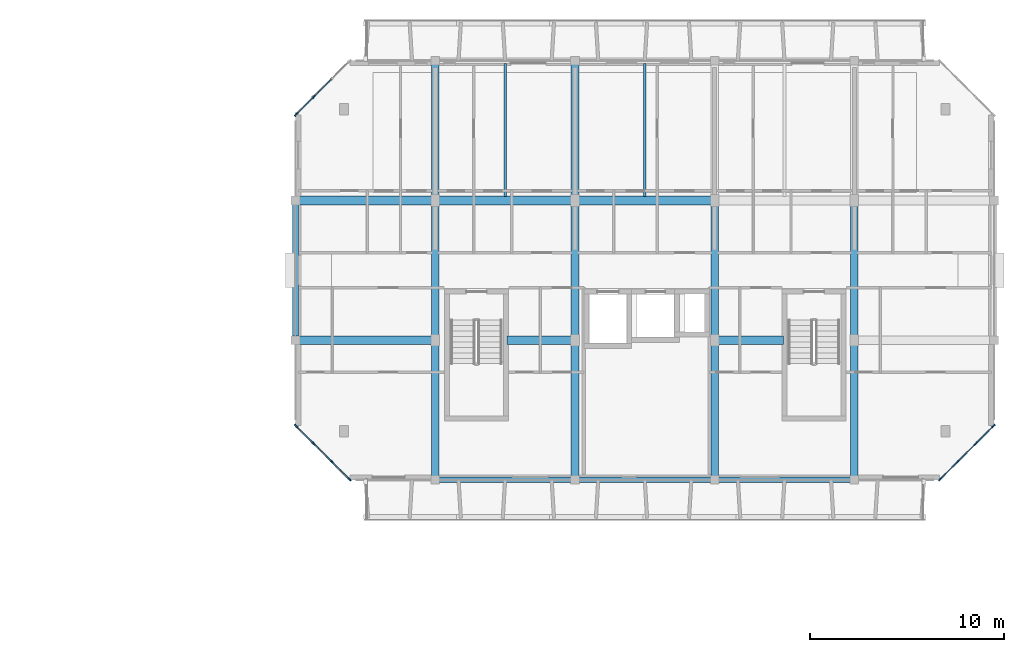
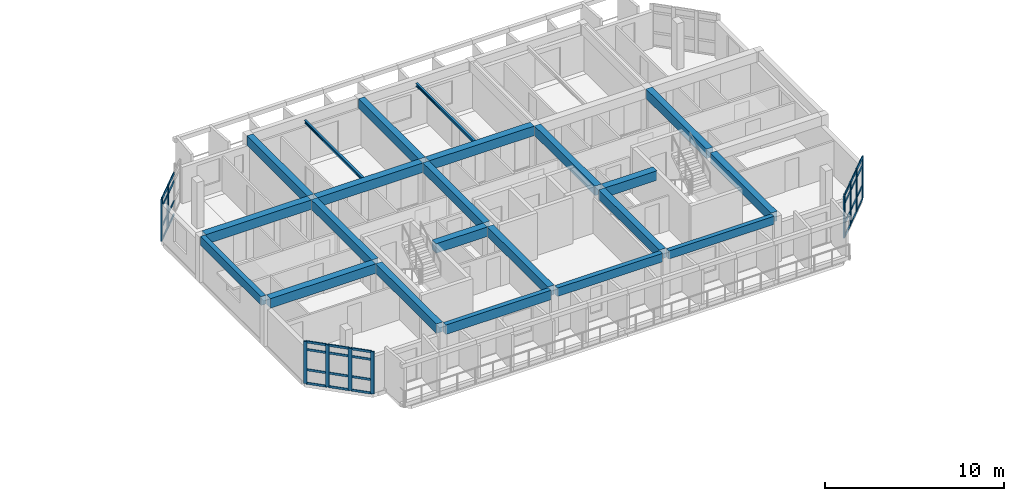
# One storey, part 12 of 43: 42 members, 22 beams, 3 elements without a shape of their own.
"""IFC4 building model written with IfcOpenShell, lengths in metres."""

from ifc_helpers import new_model, si_unit, direction, frame, origin, origin_2d, place, context, subcontext, project, spatial, rectangle, i_section, extrude, material, layer, layer_set, material_profile, profile_set, type_object, element, aggregate, save


model = new_model("IFC4")

# Units and contexts
model_context = context("Model", 3, precision=1e-05, world=origin(), true_north=direction((0.0, 1.0)))
body_context = subcontext(model_context, "Body", "Model", "MODEL_VIEW")
ifc_project = project(units=[si_unit("LENGTHUNIT", "METRE"), si_unit("AREAUNIT", "SQUARE_METRE"), si_unit("VOLUMEUNIT", "CUBIC_METRE"), si_unit("PLANEANGLEUNIT", "RADIAN"), si_unit("MASSUNIT", "GRAM", prefix="KILO")], contexts=[model_context])

# Site, building, storey
site_placement = place(None, origin())
site = spatial("IfcSite", under=ifc_project, at=site_placement, CompositionType="ELEMENT")
building_placement = place(site_placement, origin())
building = spatial("IfcBuilding", under=site, at=building_placement, Name="Ochrevale Crest", CompositionType="ELEMENT")
storey_placement = place(building_placement, frame((0.0, 0.0, 30.75)))
storey = spatial("IfcBuildingStorey", under=building, at=storey_placement, Name="L09", CompositionType="ELEMENT", Elevation=30.75)

# Beams
ifc_material_1 = material(Name="Precast concrete C50/60", Category="concrete")
ifc_material_profile_1 = material_profile(ifc_material_1, rectangle(XDim=0.39990234375, YDim=0.64990234375, at=origin_2d()), Name="PC 400x650")
ifc_profile_set_1 = profile_set([ifc_material_profile_1], Name="Precast concrete C50/60")
beam_type_1 = type_object("IfcBeamType", Name="BM-PC400x650", PredefinedType="BEAM", material=ifc_profile_set_1)
for number, where, z_axis, x_axis, name in (
    (1, (136.800048828125, 72.205078125, 2.824951171875), (0.0, 1.0, 0.0), (-1.0, 0.0, 0.0), "Block D L09 N-S beam X=136.8"),
    (2, (136.800048828125, 79.405029296875, 2.824951171875), (0.0, 1.0, 0.0), (-1.0, 0.0, 0.0), "Block D L09 N-S beam X=136.8"),
    (3, (136.800048828125, 86.60498046875, 2.824951171875), (0.0, 1.0, 0.0), (-1.0, 0.0, 0.0), "Block D L09 N-S beam X=136.8"),
    (4, (144.0, 72.205078125, 2.824951171875), (0.0, 1.0, 0.0), (-1.0, 0.0, 0.0), "Block D L09 N-S beam X=144.0"),
    (5, (144.0, 79.405029296875, 2.824951171875), (0.0, 1.0, 0.0), (-1.0, 0.0, 0.0), "Block D L09 N-S beam X=144.0"),
    (6, (144.0, 86.60498046875, 2.824951171875), (0.0, 1.0, 0.0), (-1.0, 0.0, 0.0), "Block D L09 N-S beam X=144.0"),
    (7, (151.199951171875, 72.205078125, 2.824951171875), (0.0, 1.0, 0.0), (-1.0, 0.0, 0.0), "Block D L09 N-S beam X=151.2"),
    (8, (151.199951171875, 79.405029296875, 2.824951171875), (0.0, 1.0, 0.0), (-1.0, 0.0, 0.0), "Block D L09 N-S beam X=151.2"),
    (9, (158.39990234375, 72.205078125, 2.824951171875), (0.0, 1.0, 0.0), (-1.0, 0.0, 0.0), "Block D L09 N-S beam X=158.4"),
    (10, (158.39990234375, 79.405029296875, 2.824951171875), (0.0, 1.0, 0.0), (-1.0, 0.0, 0.0), "Block D L09 N-S beam X=158.4"),
):
    element("IfcBeam", number, at=place(storey_placement, frame(where, z_axis=z_axis, x_axis=x_axis)), inside=storey, type_object=beam_type_1, Name=name, PredefinedType="BEAM", context=body_context, shape_type="SweptSolid", body=[
        extrude(rectangle(XDim=0.39990234375, YDim=0.64990234375, at=origin_2d()), origin(), (0.0, 0.0, 1.0), 6.7900390625),
    ])
ifc_material_2 = material(Name="Concrete C50/60", Category="concrete")
ifc_material_profile_2 = material_profile(ifc_material_2, rectangle(XDim=0.449951171875, YDim=0.64990234375, at=origin_2d()), Name="RC 450x650")
ifc_profile_set_2 = profile_set([ifc_material_profile_2], Name="Concrete C50/60")
beam_type_2 = type_object("IfcBeamType", Name="BM-PG450x650", PredefinedType="USERDEFINED", material=ifc_profile_set_2)
beam_1_placement = place(storey_placement, frame((129.800048828125, 79.199951171875, 2.824951171875), z_axis=(1.0, 0.0, 0.0), x_axis=(0.0, 1.0, 0.0)))
element("IfcBeam", 11, at=beam_1_placement, inside=storey, type_object=beam_type_2, Name="Block D L09 E-W beam Y=79.2", ObjectType="GIRDER", PredefinedType="USERDEFINED", context=body_context, shape_type="SweptSolid", body=[
    extrude(rectangle(XDim=0.449951171875, YDim=0.64990234375, at=origin_2d()), origin(), (0.0, 0.0, 1.0), 6.800048828125),
])
beam_2_placement = place(storey_placement, frame((140.489990234375, 79.199951171875, 2.824951171875), z_axis=(1.0, 0.0, 0.0), x_axis=(0.0, 1.0, 0.0)))
element("IfcBeam", 12, at=beam_2_placement, inside=storey, type_object=beam_type_2, Name="Block D L09 E-W beam Y=79.2", ObjectType="GIRDER", PredefinedType="USERDEFINED", context=body_context, shape_type="SweptSolid", body=[
    extrude(rectangle(XDim=0.449951171875, YDim=0.64990234375, at=origin_2d()), origin(), (0.0, 0.0, 1.0), 3.31005859375),
])
beam_3_placement = place(storey_placement, frame((151.39990234375, 79.199951171875, 2.824951171875), z_axis=(1.0, 0.0, 0.0), x_axis=(0.0, 1.0, 0.0)))
element("IfcBeam", 13, at=beam_3_placement, inside=storey, type_object=beam_type_2, Name="Block D L09 E-W beam Y=79.2", ObjectType="GIRDER", PredefinedType="USERDEFINED", context=body_context, shape_type="SweptSolid", body=[
    extrude(rectangle(XDim=0.449951171875, YDim=0.64990234375, at=origin_2d()), origin(), (0.0, 0.0, 1.0), 3.360107421875),
])
for number, where, z_axis, x_axis, name in (
    (14, (129.800048828125, 86.39990234375, 2.824951171875), (1.0, 0.0, 0.0), (0.0, 1.0, 0.0), "Block D L09 E-W beam Y=86.4"),
    (15, (137.0, 86.39990234375, 2.824951171875), (1.0, 0.0, 0.0), (0.0, 1.0, 0.0), "Block D L09 E-W beam Y=86.4"),
    (16, (144.199951171875, 86.39990234375, 2.824951171875), (1.0, 0.0, 0.0), (0.0, 1.0, 0.0), "Block D L09 E-W beam Y=86.4"),
):
    element("IfcBeam", number, at=place(storey_placement, frame(where, z_axis=z_axis, x_axis=x_axis)), inside=storey, type_object=beam_type_2, Name=name, ObjectType="GIRDER", PredefinedType="USERDEFINED", context=body_context, shape_type="SweptSolid", body=[
        extrude(rectangle(XDim=0.449951171875, YDim=0.64990234375, at=origin_2d()), origin(), (0.0, 0.0, 1.0), 6.800048828125),
    ])
ifc_material_3 = material(Name="Precast concrete C40/50", Category="concrete")
ifc_material_profile_3 = material_profile(ifc_material_3, rectangle(XDim=0.280029296875, YDim=0.550048828125, at=origin_2d()), Name="PC 280x550")
ifc_profile_set_3 = profile_set([ifc_material_profile_3], Name="Precast concrete C40/50")
beam_type_3 = type_object("IfcBeamType", Name="BM-SP280x550", PredefinedType="SPANDREL", material=ifc_profile_set_3)
beam_4_placement = place(storey_placement, frame((151.39990234375, 72.0, 2.875), z_axis=(1.0, 0.0, 0.0), x_axis=(0.0, 1.0, 0.0)))
element("IfcBeam", 17, at=beam_4_placement, inside=storey, type_object=beam_type_3, Name="Block D L09 E-W beam Y=72.0", PredefinedType="SPANDREL", context=body_context, shape_type="SweptSolid", body=[
    extrude(rectangle(XDim=0.280029296875, YDim=0.550048828125, at=origin_2d()), origin(), (0.0, 0.0, 1.0), 6.800048828125),
])
ifc_material_profile_4 = material_profile(ifc_material_3, rectangle(XDim=0.300048828125, YDim=0.580078125, at=origin_2d()), Name="PC 300x580")
ifc_profile_set_4 = profile_set([ifc_material_profile_4], Name="Precast concrete C40/50")
beam_type_4 = type_object("IfcBeamType", Name="BM-SP300x580", PredefinedType="SPANDREL", material=ifc_profile_set_4)
beam_5_placement = place(storey_placement, frame((144.199951171875, 72.0, 2.860107421875), z_axis=(1.0, 0.0, 0.0), x_axis=(0.0, 1.0, 0.0)))
element("IfcBeam", 18, at=beam_5_placement, inside=storey, type_object=beam_type_4, Name="Block D L09 E-W beam Y=72.0", PredefinedType="SPANDREL", context=body_context, shape_type="SweptSolid", body=[
    extrude(rectangle(XDim=0.300048828125, YDim=0.580078125, at=origin_2d()), origin(), (0.0, 0.0, 1.0), 6.800048828125),
])
ifc_material_profile_5 = material_profile(ifc_material_3, rectangle(XDim=0.300048828125, YDim=0.60009765625, at=origin_2d()), Name="PC 300x600")
ifc_profile_set_5 = profile_set([ifc_material_profile_5], Name="Precast concrete C40/50")
beam_type_5 = type_object("IfcBeamType", Name="BM-SP300x600", PredefinedType="SPANDREL", material=ifc_profile_set_5)
beam_6_placement = place(storey_placement, frame((129.60009765625, 79.405029296875, 2.85009765625), z_axis=(0.0, 1.0, 0.0), x_axis=(-1.0, 0.0, 0.0)))
element("IfcBeam", 19, at=beam_6_placement, inside=storey, type_object=beam_type_5, Name="Block D L09 N-S beam X=129.6", PredefinedType="SPANDREL", context=body_context, shape_type="SweptSolid", body=[
    extrude(rectangle(XDim=0.300048828125, YDim=0.60009765625, at=origin_2d()), origin(), (0.0, 0.0, 1.0), 6.7900390625),
])
ifc_material_profile_6 = material_profile(ifc_material_3, rectangle(XDim=0.300048828125, YDim=0.64990234375, at=origin_2d()), Name="PC 300x650")
ifc_profile_set_6 = profile_set([ifc_material_profile_6], Name="Precast concrete C40/50")
beam_type_6 = type_object("IfcBeamType", Name="BM-SP300x650", PredefinedType="SPANDREL", material=ifc_profile_set_6)
beam_7_placement = place(storey_placement, frame((137.0, 72.0, 2.824951171875), z_axis=(1.0, 0.0, 0.0), x_axis=(0.0, 1.0, 0.0)))
element("IfcBeam", 20, at=beam_7_placement, inside=storey, type_object=beam_type_6, Name="Block D L09 E-W beam Y=72.0", PredefinedType="SPANDREL", context=body_context, shape_type="SweptSolid", body=[
    extrude(rectangle(XDim=0.300048828125, YDim=0.64990234375, at=origin_2d()), origin(), (0.0, 0.0, 1.0), 6.800048828125),
])
ifc_material_4 = material(Name="Steel S355", Category="steel")
ifc_material_profile_7 = material_profile(ifc_material_4, i_section(OverallWidth=0.13330078125, OverallDepth=0.203125, WebThickness=0.005859375, FlangeThickness=0.0078125, FilletRadius=0.0087890625, at=origin_2d()), Name="200UB25.4")
ifc_profile_set_7 = profile_set([ifc_material_profile_7], Name="Steel S355")
beam_type_7 = type_object("IfcBeamType", Name="BM-UB200A", PredefinedType="JOIST", material=ifc_profile_set_7)
beam_8_placement = place(storey_placement, frame((140.39990234375, 86.613037109375, 2.7734375), z_axis=(0.0, 1.0, 0.0), x_axis=(-1.0, 0.0, 0.0)))
element("IfcBeam", 21, at=beam_8_placement, inside=storey, type_object=beam_type_7, Name="Block D L09 composite plank trimmer beam 2", PredefinedType="JOIST", context=body_context, shape_type="SweptSolid", body=[
    extrude(i_section(OverallWidth=0.13330078125, OverallDepth=0.203125, WebThickness=0.005859375, FlangeThickness=0.0078125, FilletRadius=0.0087890625, at=origin_2d()), origin(), (0.0, 0.0, 1.0), 6.848876953125),
])
ifc_material_profile_8 = material_profile(ifc_material_4, i_section(OverallWidth=0.134033203125, OverallDepth=0.20703125, WebThickness=0.00634765625, FlangeThickness=0.009521484375, FilletRadius=0.0087890625, at=origin_2d()), Name="200UB29.8")
ifc_profile_set_8 = profile_set([ifc_material_profile_8], Name="Steel S355")
beam_type_8 = type_object("IfcBeamType", Name="BM-UB200B", PredefinedType="JOIST", material=ifc_profile_set_8)
beam_9_placement = place(storey_placement, frame((147.60009765625, 86.613037109375, 2.771484375), z_axis=(0.0, 1.0, 0.0), x_axis=(-1.0, 0.0, 0.0)))
element("IfcBeam", 22, at=beam_9_placement, inside=storey, type_object=beam_type_8, Name="Block D L09 composite plank trimmer beam 3", PredefinedType="JOIST", context=body_context, shape_type="SweptSolid", body=[
    extrude(i_section(OverallWidth=0.134033203125, OverallDepth=0.20703125, WebThickness=0.00634765625, FlangeThickness=0.009521484375, FilletRadius=0.0087890625, at=origin_2d()), origin(), (0.0, 0.0, 1.0), 6.848876953125),
])

# Curtain wall, members
ifc_material_5 = material(Name="Anodised aluminium 6063-T5", Category="aluminium")
ifc_layer_1 = layer(ifc_material_5, 0.14990234375)
ifc_layer_set_1 = layer_set([ifc_layer_1], Name="Anodised aluminium 6063-T5")
curtain_wall_type_1 = type_object("IfcCurtainWallType", Name="CW-WG-280x285", PredefinedType="NOTDEFINED", material=ifc_layer_set_1)
curtain_wall_1_placement = place(storey_placement, origin())
curtain_wall_1 = element("IfcCurtainWall", 23, at=curtain_wall_1_placement, inside=storey, type_object=curtain_wall_type_1, Name="Block D L09 chamfered corner wintergarden curtain wall 2", PredefinedType="NOTDEFINED")
ifc_material_profile_9 = material_profile(ifc_material_5, rectangle(XDim=0.074951171875, YDim=0.219970703125, at=origin_2d()), Name="ALU 75x220")
ifc_profile_set_9 = profile_set([ifc_material_profile_9], Name="Anodised aluminium 6063-T5")
member_type_1 = type_object("IfcMemberType", Name="CW-MUL-75x220", PredefinedType="MULLION", material=ifc_profile_set_9)
member_1_placement = place(storey_placement, frame((162.826416015625, 72.026611328125, 0.0), z_axis=(0.0, 0.0, 1.0), x_axis=(-0.707106781187, 0.707106781187, 0.0)))
member_1 = element("IfcMember", 24, at=member_1_placement, type_object=member_type_1, Name="CW16 mullion 1", PredefinedType="MULLION", context=body_context, shape_type="SweptSolid", body=[
    extrude(rectangle(XDim=0.074951171875, YDim=0.219970703125, at=origin_2d()), origin(), (0.0, 0.0, 1.0), 2.875),
])
member_2_placement = place(storey_placement, frame((163.7333984375, 72.933349609375, 0.0), z_axis=(0.0, 0.0, 1.0), x_axis=(-0.707106781187, 0.707106781187, 0.0)))
member_2 = element("IfcMember", 25, at=member_2_placement, type_object=member_type_1, Name="CW16 mullion 2", PredefinedType="MULLION", context=body_context, shape_type="SweptSolid", body=[
    extrude(rectangle(XDim=0.074951171875, YDim=0.219970703125, at=origin_2d()), origin(), (0.0, 0.0, 1.0), 2.875),
])
member_3_placement = place(storey_placement, frame((164.666748046875, 73.86669921875, 0.0), z_axis=(0.0, 0.0, 1.0), x_axis=(-0.707106781187, 0.707106781187, 0.0)))
member_3 = element("IfcMember", 26, at=member_3_placement, type_object=member_type_1, Name="CW16 mullion 3", PredefinedType="MULLION", context=body_context, shape_type="SweptSolid", body=[
    extrude(rectangle(XDim=0.074951171875, YDim=0.219970703125, at=origin_2d()), origin(), (0.0, 0.0, 1.0), 2.875),
])
member_4_placement = place(storey_placement, frame((165.573486328125, 74.7734375, 0.0), z_axis=(0.0, 0.0, 1.0), x_axis=(-0.707106781187, 0.707106781187, 0.0)))
member_4 = element("IfcMember", 27, at=member_4_placement, type_object=member_type_1, Name="CW16 mullion 4", PredefinedType="MULLION", context=body_context, shape_type="SweptSolid", body=[
    extrude(rectangle(XDim=0.074951171875, YDim=0.219970703125, at=origin_2d()), origin(), (0.0, 0.0, 1.0), 2.875),
])

ifc_layer_2 = layer(ifc_material_5, 0.14990234375)
ifc_layer_set_2 = layer_set([ifc_layer_2], Name="Anodised aluminium 6063-T5")
curtain_wall_type_2 = type_object("IfcCurtainWallType", Name="CW-WG-240x285", PredefinedType="NOTDEFINED", material=ifc_layer_set_2)
curtain_wall_2_placement = place(storey_placement, origin())
curtain_wall_2 = element("IfcCurtainWall", 28, at=curtain_wall_2_placement, inside=storey, type_object=curtain_wall_type_2, Name="Block D L09 chamfered corner wintergarden curtain wall 6", PredefinedType="NOTDEFINED")
member_5_placement = place(storey_placement, frame((130.533447265625, 91.7333984375, 0.0), z_axis=(0.0, 0.0, 1.0), x_axis=(0.707106781187, -0.707106781187, 0.0)))
member_5 = element("IfcMember", 29, at=member_5_placement, type_object=member_type_1, Name="CW15 mullion 3", PredefinedType="MULLION", context=body_context, shape_type="SweptSolid", body=[
    extrude(rectangle(XDim=0.074951171875, YDim=0.219970703125, at=origin_2d()), origin(), (0.0, 0.0, 1.0), 2.875),
])
member_6_placement = place(storey_placement, frame((129.62646484375, 90.826416015625, 0.0), z_axis=(0.0, 0.0, 1.0), x_axis=(0.707106781187, -0.707106781187, 0.0)))
member_6 = element("IfcMember", 30, at=member_6_placement, type_object=member_type_1, Name="CW15 mullion 4", PredefinedType="MULLION", context=body_context, shape_type="SweptSolid", body=[
    extrude(rectangle(XDim=0.074951171875, YDim=0.219970703125, at=origin_2d()), origin(), (0.0, 0.0, 1.0), 2.875),
])

ifc_layer_3 = layer(ifc_material_5, 0.14990234375)
ifc_layer_set_3 = layer_set([ifc_layer_3], Name="Anodised aluminium 6063-T5")
curtain_wall_type_3 = type_object("IfcCurtainWallType", Name="CW-WG-320x285", PredefinedType="NOTDEFINED", material=ifc_layer_set_3)
curtain_wall_3_placement = place(storey_placement, origin())
curtain_wall_3 = element("IfcCurtainWall", 31, at=curtain_wall_3_placement, inside=storey, type_object=curtain_wall_type_3, Name="Block D L09 chamfered corner wintergarden curtain wall 8", PredefinedType="NOTDEFINED")
member_7_placement = place(storey_placement, frame((129.62646484375, 74.7734375, 0.0), z_axis=(0.0, 0.0, 1.0), x_axis=(0.707106781187, 0.707106781187, 0.0)))
member_7 = element("IfcMember", 32, at=member_7_placement, type_object=member_type_1, Name="CW17 mullion 1", PredefinedType="MULLION", context=body_context, shape_type="SweptSolid", body=[
    extrude(rectangle(XDim=0.074951171875, YDim=0.219970703125, at=origin_2d()), origin(), (0.0, 0.0, 1.0), 2.875),
])
member_8_placement = place(storey_placement, frame((130.533447265625, 73.86669921875, 0.0), z_axis=(0.0, 0.0, 1.0), x_axis=(0.707106781187, 0.707106781187, 0.0)))
member_8 = element("IfcMember", 33, at=member_8_placement, type_object=member_type_1, Name="CW17 mullion 2", PredefinedType="MULLION", context=body_context, shape_type="SweptSolid", body=[
    extrude(rectangle(XDim=0.074951171875, YDim=0.219970703125, at=origin_2d()), origin(), (0.0, 0.0, 1.0), 2.875),
])
member_9_placement = place(storey_placement, frame((131.466552734375, 72.933349609375, 0.0), z_axis=(0.0, 0.0, 1.0), x_axis=(0.707106781187, 0.707106781187, 0.0)))
member_9 = element("IfcMember", 34, at=member_9_placement, type_object=member_type_1, Name="CW17 mullion 3", PredefinedType="MULLION", context=body_context, shape_type="SweptSolid", body=[
    extrude(rectangle(XDim=0.074951171875, YDim=0.219970703125, at=origin_2d()), origin(), (0.0, 0.0, 1.0), 2.875),
])
member_10_placement = place(storey_placement, frame((132.37353515625, 72.026611328125, 0.0), z_axis=(0.0, 0.0, 1.0), x_axis=(0.707106781187, 0.707106781187, 0.0)))
member_10 = element("IfcMember", 35, at=member_10_placement, type_object=member_type_1, Name="CW17 mullion 4", PredefinedType="MULLION", context=body_context, shape_type="SweptSolid", body=[
    extrude(rectangle(XDim=0.074951171875, YDim=0.219970703125, at=origin_2d()), origin(), (0.0, 0.0, 1.0), 2.875),
])

# Member
ifc_material_profile_10 = material_profile(ifc_material_5, rectangle(XDim=0.06005859375, YDim=0.14990234375, at=origin_2d()), Name="ALU 60x150")
ifc_profile_set_10 = profile_set([ifc_material_profile_10], Name="Anodised aluminium 6063-T5")
member_type_2 = type_object("IfcMemberType", Name="CW-TRN-60x150", PredefinedType="USERDEFINED", material=ifc_profile_set_10)
member_11_placement = place(storey_placement, frame((162.85302734375, 72.052978515625, 0.030029296875), z_axis=(0.707106781187, 0.707106781187, 0.0), x_axis=(-0.707106781187, 0.707106781187, 0.0)))
member_11 = element("IfcMember", 36, at=member_11_placement, type_object=member_type_2, Name="CW16 transom 1.1", ObjectType="TRANSOM", PredefinedType="USERDEFINED", context=body_context, shape_type="SweptSolid", body=[
    extrude(rectangle(XDim=0.06005859375, YDim=0.14990234375, at=origin_2d()), origin(), (0.0, 0.0, 1.0), 1.20751953125),
])

member_12_placement = place(storey_placement, frame((162.85302734375, 72.052978515625, 0.949951171875), z_axis=(0.707106781187, 0.707106781187, 0.0), x_axis=(-0.707106781187, 0.707106781187, 0.0)))
member_12 = element("IfcMember", 37, at=member_12_placement, type_object=member_type_2, Name="CW16 transom 1.2", ObjectType="TRANSOM", PredefinedType="USERDEFINED", context=body_context, shape_type="SweptSolid", body=[
    extrude(rectangle(XDim=0.06005859375, YDim=0.14990234375, at=origin_2d()), origin(), (0.0, 0.0, 1.0), 1.20751953125),
])

member_13_placement = place(storey_placement, frame((162.85302734375, 72.052978515625, 2.324951171875), z_axis=(0.707106781187, 0.707106781187, 0.0), x_axis=(-0.707106781187, 0.707106781187, 0.0)))
member_13 = element("IfcMember", 38, at=member_13_placement, type_object=member_type_2, Name="CW16 transom 1.3", ObjectType="TRANSOM", PredefinedType="USERDEFINED", context=body_context, shape_type="SweptSolid", body=[
    extrude(rectangle(XDim=0.06005859375, YDim=0.14990234375, at=origin_2d()), origin(), (0.0, 0.0, 1.0), 1.20751953125),
])

member_14_placement = place(storey_placement, frame((162.85302734375, 72.052978515625, 2.844970703125), z_axis=(0.707106781187, 0.707106781187, 0.0), x_axis=(-0.707106781187, 0.707106781187, 0.0)))
member_14 = element("IfcMember", 39, at=member_14_placement, type_object=member_type_2, Name="CW16 transom 1.4", ObjectType="TRANSOM", PredefinedType="USERDEFINED", context=body_context, shape_type="SweptSolid", body=[
    extrude(rectangle(XDim=0.06005859375, YDim=0.14990234375, at=origin_2d()), origin(), (0.0, 0.0, 1.0), 1.20751953125),
])

member_15_placement = place(storey_placement, frame((163.759765625, 72.9599609375, 0.030029296875), z_axis=(0.707204833848, 0.707008714926, 0.0), x_axis=(-0.707008714926, 0.707204833848, 0.0)))
member_15 = element("IfcMember", 40, at=member_15_placement, type_object=member_type_2, Name="CW16 transom 2.1", ObjectType="TRANSOM", PredefinedType="USERDEFINED", context=body_context, shape_type="SweptSolid", body=[
    extrude(rectangle(XDim=0.06005859375, YDim=0.14990234375, at=origin_2d()), origin(), (0.0, 0.0, 1.0), 1.244873046875),
])

member_16_placement = place(storey_placement, frame((163.759765625, 72.9599609375, 0.949951171875), z_axis=(0.707204833848, 0.707008714926, 0.0), x_axis=(-0.707008714926, 0.707204833848, 0.0)))
member_16 = element("IfcMember", 41, at=member_16_placement, type_object=member_type_2, Name="CW16 transom 2.2", ObjectType="TRANSOM", PredefinedType="USERDEFINED", context=body_context, shape_type="SweptSolid", body=[
    extrude(rectangle(XDim=0.06005859375, YDim=0.14990234375, at=origin_2d()), origin(), (0.0, 0.0, 1.0), 1.244873046875),
])

member_17_placement = place(storey_placement, frame((163.759765625, 72.9599609375, 2.324951171875), z_axis=(0.707204833848, 0.707008714926, 0.0), x_axis=(-0.707008714926, 0.707204833848, 0.0)))
member_17 = element("IfcMember", 42, at=member_17_placement, type_object=member_type_2, Name="CW16 transom 2.3", ObjectType="TRANSOM", PredefinedType="USERDEFINED", context=body_context, shape_type="SweptSolid", body=[
    extrude(rectangle(XDim=0.06005859375, YDim=0.14990234375, at=origin_2d()), origin(), (0.0, 0.0, 1.0), 1.244873046875),
])

member_18_placement = place(storey_placement, frame((163.759765625, 72.9599609375, 2.844970703125), z_axis=(0.707204833848, 0.707008714926, 0.0), x_axis=(-0.707008714926, 0.707204833848, 0.0)))
member_18 = element("IfcMember", 43, at=member_18_placement, type_object=member_type_2, Name="CW16 transom 2.4", ObjectType="TRANSOM", PredefinedType="USERDEFINED", context=body_context, shape_type="SweptSolid", body=[
    extrude(rectangle(XDim=0.06005859375, YDim=0.14990234375, at=origin_2d()), origin(), (0.0, 0.0, 1.0), 1.244873046875),
])

member_19_placement = place(storey_placement, frame((164.693115234375, 73.89306640625, 0.030029296875), z_axis=(0.707005686502, 0.70720786142, 0.0), x_axis=(-0.70720786142, 0.707005686502, 0.0)))
member_19 = element("IfcMember", 44, at=member_19_placement, type_object=member_type_2, Name="CW16 transom 3.1", ObjectType="TRANSOM", PredefinedType="USERDEFINED", context=body_context, shape_type="SweptSolid", body=[
    extrude(rectangle(XDim=0.06005859375, YDim=0.14990234375, at=origin_2d()), origin(), (0.0, 0.0, 1.0), 1.20751953125),
])

member_20_placement = place(storey_placement, frame((164.693115234375, 73.89306640625, 0.949951171875), z_axis=(0.707005686502, 0.70720786142, 0.0), x_axis=(-0.70720786142, 0.707005686502, 0.0)))
member_20 = element("IfcMember", 45, at=member_20_placement, type_object=member_type_2, Name="CW16 transom 3.2", ObjectType="TRANSOM", PredefinedType="USERDEFINED", context=body_context, shape_type="SweptSolid", body=[
    extrude(rectangle(XDim=0.06005859375, YDim=0.14990234375, at=origin_2d()), origin(), (0.0, 0.0, 1.0), 1.20751953125),
])

member_21_placement = place(storey_placement, frame((164.693115234375, 73.89306640625, 2.324951171875), z_axis=(0.707005686502, 0.70720786142, 0.0), x_axis=(-0.70720786142, 0.707005686502, 0.0)))
member_21 = element("IfcMember", 46, at=member_21_placement, type_object=member_type_2, Name="CW16 transom 3.3", ObjectType="TRANSOM", PredefinedType="USERDEFINED", context=body_context, shape_type="SweptSolid", body=[
    extrude(rectangle(XDim=0.06005859375, YDim=0.14990234375, at=origin_2d()), origin(), (0.0, 0.0, 1.0), 1.20751953125),
])

member_22_placement = place(storey_placement, frame((164.693115234375, 73.89306640625, 2.844970703125), z_axis=(0.707005686502, 0.70720786142, 0.0), x_axis=(-0.70720786142, 0.707005686502, 0.0)))
member_22 = element("IfcMember", 47, at=member_22_placement, type_object=member_type_2, Name="CW16 transom 3.4", ObjectType="TRANSOM", PredefinedType="USERDEFINED", context=body_context, shape_type="SweptSolid", body=[
    extrude(rectangle(XDim=0.06005859375, YDim=0.14990234375, at=origin_2d()), origin(), (0.0, 0.0, 1.0), 1.20751953125),
])

aggregate(curtain_wall_1, [member_1, member_2, member_3, member_4, member_11, member_12, member_13, member_14, member_15, member_16, member_17, member_18, member_19, member_20, member_21, member_22])

member_23_placement = place(storey_placement, frame((131.440185546875, 92.64013671875, 0.030029296875), z_axis=(-0.707106781187, -0.707106781187, 0.0), x_axis=(0.707106781187, -0.707106781187, 0.0)))
member_23 = element("IfcMember", 48, at=member_23_placement, type_object=member_type_2, Name="CW15 transom 2.1", ObjectType="TRANSOM", PredefinedType="USERDEFINED", context=body_context, shape_type="SweptSolid", body=[
    extrude(rectangle(XDim=0.06005859375, YDim=0.14990234375, at=origin_2d()), origin(), (0.0, 0.0, 1.0), 1.2451171875),
])

member_24_placement = place(storey_placement, frame((131.440185546875, 92.64013671875, 0.949951171875), z_axis=(-0.707106781187, -0.707106781187, 0.0), x_axis=(0.707106781187, -0.707106781187, 0.0)))
member_24 = element("IfcMember", 49, at=member_24_placement, type_object=member_type_2, Name="CW15 transom 2.2", ObjectType="TRANSOM", PredefinedType="USERDEFINED", context=body_context, shape_type="SweptSolid", body=[
    extrude(rectangle(XDim=0.06005859375, YDim=0.14990234375, at=origin_2d()), origin(), (0.0, 0.0, 1.0), 1.2451171875),
])

member_25_placement = place(storey_placement, frame((131.440185546875, 92.64013671875, 2.324951171875), z_axis=(-0.707106781187, -0.707106781187, 0.0), x_axis=(0.707106781187, -0.707106781187, 0.0)))
member_25 = element("IfcMember", 50, at=member_25_placement, type_object=member_type_2, Name="CW15 transom 2.3", ObjectType="TRANSOM", PredefinedType="USERDEFINED", context=body_context, shape_type="SweptSolid", body=[
    extrude(rectangle(XDim=0.06005859375, YDim=0.14990234375, at=origin_2d()), origin(), (0.0, 0.0, 1.0), 1.2451171875),
])

member_26_placement = place(storey_placement, frame((131.440185546875, 92.64013671875, 2.844970703125), z_axis=(-0.707106781187, -0.707106781187, 0.0), x_axis=(0.707106781187, -0.707106781187, 0.0)))
member_26 = element("IfcMember", 51, at=member_26_placement, type_object=member_type_2, Name="CW15 transom 2.4", ObjectType="TRANSOM", PredefinedType="USERDEFINED", context=body_context, shape_type="SweptSolid", body=[
    extrude(rectangle(XDim=0.06005859375, YDim=0.14990234375, at=origin_2d()), origin(), (0.0, 0.0, 1.0), 1.2451171875),
])

member_27_placement = place(storey_placement, frame((130.5068359375, 91.706787109375, 0.030029296875), z_axis=(-0.707106781187, -0.707106781187, 0.0), x_axis=(0.707106781187, -0.707106781187, 0.0)))
member_27 = element("IfcMember", 52, at=member_27_placement, type_object=member_type_2, Name="CW15 transom 3.1", ObjectType="TRANSOM", PredefinedType="USERDEFINED", context=body_context, shape_type="SweptSolid", body=[
    extrude(rectangle(XDim=0.06005859375, YDim=0.14990234375, at=origin_2d()), origin(), (0.0, 0.0, 1.0), 1.20751953125),
])

member_28_placement = place(storey_placement, frame((130.5068359375, 91.706787109375, 0.949951171875), z_axis=(-0.707106781187, -0.707106781187, 0.0), x_axis=(0.707106781187, -0.707106781187, 0.0)))
member_28 = element("IfcMember", 53, at=member_28_placement, type_object=member_type_2, Name="CW15 transom 3.2", ObjectType="TRANSOM", PredefinedType="USERDEFINED", context=body_context, shape_type="SweptSolid", body=[
    extrude(rectangle(XDim=0.06005859375, YDim=0.14990234375, at=origin_2d()), origin(), (0.0, 0.0, 1.0), 1.20751953125),
])

member_29_placement = place(storey_placement, frame((130.5068359375, 91.706787109375, 2.324951171875), z_axis=(-0.707106781187, -0.707106781187, 0.0), x_axis=(0.707106781187, -0.707106781187, 0.0)))
member_29 = element("IfcMember", 54, at=member_29_placement, type_object=member_type_2, Name="CW15 transom 3.3", ObjectType="TRANSOM", PredefinedType="USERDEFINED", context=body_context, shape_type="SweptSolid", body=[
    extrude(rectangle(XDim=0.06005859375, YDim=0.14990234375, at=origin_2d()), origin(), (0.0, 0.0, 1.0), 1.20751953125),
])

member_30_placement = place(storey_placement, frame((130.5068359375, 91.706787109375, 2.844970703125), z_axis=(-0.707106781187, -0.707106781187, 0.0), x_axis=(0.707106781187, -0.707106781187, 0.0)))
member_30 = element("IfcMember", 55, at=member_30_placement, type_object=member_type_2, Name="CW15 transom 3.4", ObjectType="TRANSOM", PredefinedType="USERDEFINED", context=body_context, shape_type="SweptSolid", body=[
    extrude(rectangle(XDim=0.06005859375, YDim=0.14990234375, at=origin_2d()), origin(), (0.0, 0.0, 1.0), 1.20751953125),
])

aggregate(curtain_wall_2, [member_5, member_6, member_23, member_24, member_25, member_26, member_27, member_28, member_29, member_30])

member_31_placement = place(storey_placement, frame((129.653076171875, 74.7470703125, 0.030029296875), z_axis=(0.707005686502, -0.70720786142, 0.0), x_axis=(0.70720786142, 0.707005686502, 0.0)))
member_31 = element("IfcMember", 56, at=member_31_placement, type_object=member_type_2, Name="CW17 transom 1.1", ObjectType="TRANSOM", PredefinedType="USERDEFINED", context=body_context, shape_type="SweptSolid", body=[
    extrude(rectangle(XDim=0.06005859375, YDim=0.14990234375, at=origin_2d()), origin(), (0.0, 0.0, 1.0), 1.20751953125),
])

member_32_placement = place(storey_placement, frame((129.653076171875, 74.7470703125, 0.949951171875), z_axis=(0.707005686502, -0.70720786142, 0.0), x_axis=(0.70720786142, 0.707005686502, 0.0)))
member_32 = element("IfcMember", 57, at=member_32_placement, type_object=member_type_2, Name="CW17 transom 1.2", ObjectType="TRANSOM", PredefinedType="USERDEFINED", context=body_context, shape_type="SweptSolid", body=[
    extrude(rectangle(XDim=0.06005859375, YDim=0.14990234375, at=origin_2d()), origin(), (0.0, 0.0, 1.0), 1.20751953125),
])

member_33_placement = place(storey_placement, frame((129.653076171875, 74.7470703125, 2.324951171875), z_axis=(0.707005686502, -0.70720786142, 0.0), x_axis=(0.70720786142, 0.707005686502, 0.0)))
member_33 = element("IfcMember", 58, at=member_33_placement, type_object=member_type_2, Name="CW17 transom 1.3", ObjectType="TRANSOM", PredefinedType="USERDEFINED", context=body_context, shape_type="SweptSolid", body=[
    extrude(rectangle(XDim=0.06005859375, YDim=0.14990234375, at=origin_2d()), origin(), (0.0, 0.0, 1.0), 1.20751953125),
])

member_34_placement = place(storey_placement, frame((129.653076171875, 74.7470703125, 2.844970703125), z_axis=(0.707005686502, -0.70720786142, 0.0), x_axis=(0.70720786142, 0.707005686502, 0.0)))
member_34 = element("IfcMember", 59, at=member_34_placement, type_object=member_type_2, Name="CW17 transom 1.4", ObjectType="TRANSOM", PredefinedType="USERDEFINED", context=body_context, shape_type="SweptSolid", body=[
    extrude(rectangle(XDim=0.06005859375, YDim=0.14990234375, at=origin_2d()), origin(), (0.0, 0.0, 1.0), 1.20751953125),
])

member_35_placement = place(storey_placement, frame((130.559814453125, 73.840087890625, 0.030029296875), z_axis=(0.707204833848, -0.707008714926, 0.0), x_axis=(0.707008714926, 0.707204833848, 0.0)))
member_35 = element("IfcMember", 60, at=member_35_placement, type_object=member_type_2, Name="CW17 transom 2.1", ObjectType="TRANSOM", PredefinedType="USERDEFINED", context=body_context, shape_type="SweptSolid", body=[
    extrude(rectangle(XDim=0.06005859375, YDim=0.14990234375, at=origin_2d()), origin(), (0.0, 0.0, 1.0), 1.244873046875),
])

member_36_placement = place(storey_placement, frame((130.559814453125, 73.840087890625, 0.949951171875), z_axis=(0.707204833848, -0.707008714926, 0.0), x_axis=(0.707008714926, 0.707204833848, 0.0)))
member_36 = element("IfcMember", 61, at=member_36_placement, type_object=member_type_2, Name="CW17 transom 2.2", ObjectType="TRANSOM", PredefinedType="USERDEFINED", context=body_context, shape_type="SweptSolid", body=[
    extrude(rectangle(XDim=0.06005859375, YDim=0.14990234375, at=origin_2d()), origin(), (0.0, 0.0, 1.0), 1.244873046875),
])

member_37_placement = place(storey_placement, frame((130.559814453125, 73.840087890625, 2.324951171875), z_axis=(0.707204833848, -0.707008714926, 0.0), x_axis=(0.707008714926, 0.707204833848, 0.0)))
member_37 = element("IfcMember", 62, at=member_37_placement, type_object=member_type_2, Name="CW17 transom 2.3", ObjectType="TRANSOM", PredefinedType="USERDEFINED", context=body_context, shape_type="SweptSolid", body=[
    extrude(rectangle(XDim=0.06005859375, YDim=0.14990234375, at=origin_2d()), origin(), (0.0, 0.0, 1.0), 1.244873046875),
])

member_38_placement = place(storey_placement, frame((130.559814453125, 73.840087890625, 2.844970703125), z_axis=(0.707204833848, -0.707008714926, 0.0), x_axis=(0.707008714926, 0.707204833848, 0.0)))
member_38 = element("IfcMember", 63, at=member_38_placement, type_object=member_type_2, Name="CW17 transom 2.4", ObjectType="TRANSOM", PredefinedType="USERDEFINED", context=body_context, shape_type="SweptSolid", body=[
    extrude(rectangle(XDim=0.06005859375, YDim=0.14990234375, at=origin_2d()), origin(), (0.0, 0.0, 1.0), 1.244873046875),
])

member_39_placement = place(storey_placement, frame((131.4931640625, 72.90673828125, 0.030029296875), z_axis=(0.707106781187, -0.707106781187, 0.0), x_axis=(0.707106781187, 0.707106781187, 0.0)))
member_39 = element("IfcMember", 64, at=member_39_placement, type_object=member_type_2, Name="CW17 transom 3.1", ObjectType="TRANSOM", PredefinedType="USERDEFINED", context=body_context, shape_type="SweptSolid", body=[
    extrude(rectangle(XDim=0.06005859375, YDim=0.14990234375, at=origin_2d()), origin(), (0.0, 0.0, 1.0), 1.20751953125),
])

member_40_placement = place(storey_placement, frame((131.4931640625, 72.90673828125, 0.949951171875), z_axis=(0.707106781187, -0.707106781187, 0.0), x_axis=(0.707106781187, 0.707106781187, 0.0)))
member_40 = element("IfcMember", 65, at=member_40_placement, type_object=member_type_2, Name="CW17 transom 3.2", ObjectType="TRANSOM", PredefinedType="USERDEFINED", context=body_context, shape_type="SweptSolid", body=[
    extrude(rectangle(XDim=0.06005859375, YDim=0.14990234375, at=origin_2d()), origin(), (0.0, 0.0, 1.0), 1.20751953125),
])

member_41_placement = place(storey_placement, frame((131.4931640625, 72.90673828125, 2.324951171875), z_axis=(0.707106781187, -0.707106781187, 0.0), x_axis=(0.707106781187, 0.707106781187, 0.0)))
member_41 = element("IfcMember", 66, at=member_41_placement, type_object=member_type_2, Name="CW17 transom 3.3", ObjectType="TRANSOM", PredefinedType="USERDEFINED", context=body_context, shape_type="SweptSolid", body=[
    extrude(rectangle(XDim=0.06005859375, YDim=0.14990234375, at=origin_2d()), origin(), (0.0, 0.0, 1.0), 1.20751953125),
])

member_42_placement = place(storey_placement, frame((131.4931640625, 72.90673828125, 2.844970703125), z_axis=(0.707106781187, -0.707106781187, 0.0), x_axis=(0.707106781187, 0.707106781187, 0.0)))
member_42 = element("IfcMember", 67, at=member_42_placement, type_object=member_type_2, Name="CW17 transom 3.4", ObjectType="TRANSOM", PredefinedType="USERDEFINED", context=body_context, shape_type="SweptSolid", body=[
    extrude(rectangle(XDim=0.06005859375, YDim=0.14990234375, at=origin_2d()), origin(), (0.0, 0.0, 1.0), 1.20751953125),
])

aggregate(curtain_wall_3, [member_7, member_8, member_9, member_10, member_31, member_32, member_33, member_34, member_35, member_36, member_37, member_38, member_39, member_40, member_41, member_42])

save(model, "model.ifc")
